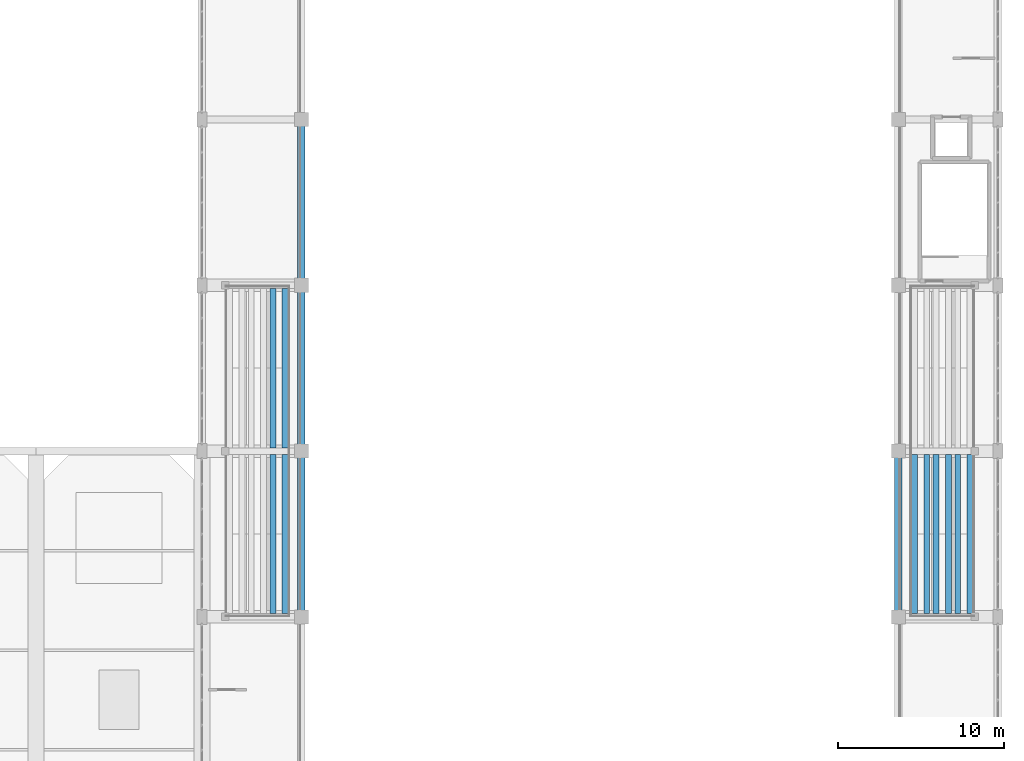
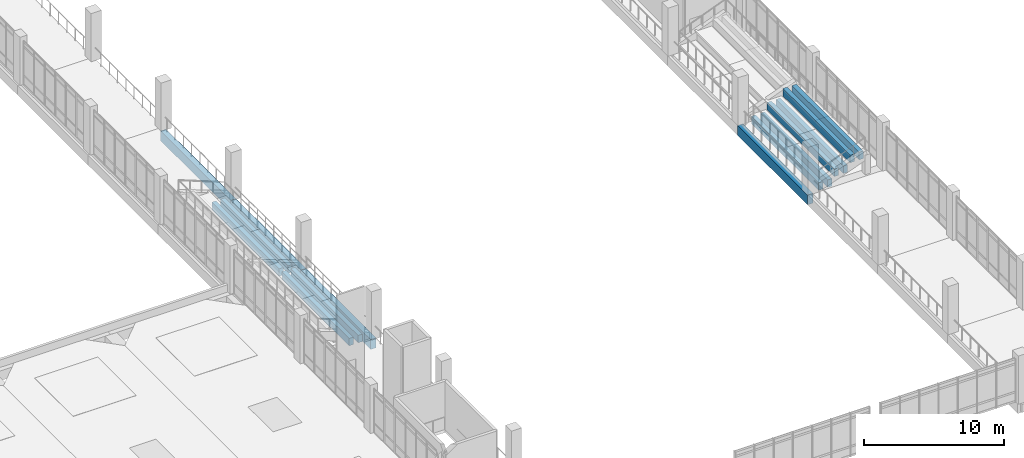
# One storey, part 106 of 161: 14 beams.
"""IFC4 building model written with IfcOpenShell, lengths in metres."""

from ifc_helpers import new_model, si_unit, direction, frame, origin, origin_2d, place, context, subcontext, project, spatial, rectangle, extrude, material, material_profile, profile_set, type_object, element, save


model = new_model("IFC4")

# Units and contexts
model_context = context("Model", 3, precision=1e-05, world=origin(), true_north=direction((0.0, 1.0)))
body_context = subcontext(model_context, "Body", "Model", "MODEL_VIEW")
ifc_project = project(units=[si_unit("LENGTHUNIT", "METRE"), si_unit("AREAUNIT", "SQUARE_METRE"), si_unit("VOLUMEUNIT", "CUBIC_METRE"), si_unit("PLANEANGLEUNIT", "RADIAN"), si_unit("MASSUNIT", "GRAM", prefix="KILO")], contexts=[model_context])

# Site, building, storey
site_placement = place(None, origin())
site = spatial("IfcSite", under=ifc_project, at=site_placement, CompositionType="ELEMENT")
building_placement = place(site_placement, origin())
building = spatial("IfcBuilding", under=site, at=building_placement, Name="Mersad Railyard Sports Hall", CompositionType="ELEMENT")
storey_placement = place(building_placement, frame((0.0, 0.0, 4.800048828125)))
storey = spatial("IfcBuildingStorey", under=building, at=storey_placement, Name="L01", CompositionType="ELEMENT", Elevation=4.800048828125)

# Beams
ifc_material = material(Name="Concrete C40/50", Category="concrete")
ifc_material_profile_1 = material_profile(ifc_material, rectangle(XDim=0.449951171875, YDim=0.85009765625, at=origin_2d()), Name="RC 450x850")
ifc_profile_set_1 = profile_set([ifc_material_profile_1], Name="Concrete C40/50")
beam_type_1 = type_object("IfcBeamType", Name="STR-BM-B02", PredefinedType="BEAM", material=ifc_profile_set_1)
for number, where, z_axis, x_axis, name in (
    (1, (137.0, 33.5, -0.705078125), (0.0, 1.0, 0.0), (-1.0, 0.0, 0.0), "Beam B02-0638"),
    (2, (137.0, 43.5, -0.705078125), (0.0, 1.0, 0.0), (-1.0, 0.0, 0.0), "Beam B02-0639"),
    (3, (137.0, 53.5, -0.705078125), (0.0, 1.0, 0.0), (-1.0, 0.0, 0.0), "Beam B02-0640"),
    (4, (173.0, 33.5, -0.705078125), (0.0, 1.0, 0.0), (-1.0, 0.0, 0.0), "Beam B02-0650"),
):
    element("IfcBeam", number, at=place(storey_placement, frame(where, z_axis=z_axis, x_axis=x_axis)), inside=storey, type_object=beam_type_1, Name=name, PredefinedType="BEAM", context=body_context, shape_type="SweptSolid", body=[
        extrude(rectangle(XDim=0.449951171875, YDim=0.85009765625, at=origin_2d()), origin(), (0.0, 0.0, 1.0), 10.0),
    ])
ifc_material_profile_2 = material_profile(ifc_material, rectangle(XDim=0.35009765625, YDim=0.64990234375, at=origin_2d()), Name="RC 350x650")
ifc_profile_set_2 = profile_set([ifc_material_profile_2], Name="Concrete C40/50")
beam_type_2 = type_object("IfcBeamType", Name="STR-BM-J01", PredefinedType="JOIST", material=ifc_profile_set_2)
for number, where, z_axis, x_axis, name in (
    (5, (135.280029296875, 33.699951171875, -0.03515625), (0.0, 1.0, 0.0), (-1.0, 0.0, 0.0), "Beam J01-0865"),
    (6, (173.97998046875, 33.699951171875, -0.03515625), (0.0, 1.0, 0.0), (-1.0, 0.0, 0.0), "Beam J01-0866"),
    (7, (136.02001953125, 33.699951171875, -0.03515625), (0.0, 1.0, 0.0), (-1.0, 0.0, 0.0), "Beam J01-0867"),
    (8, (174.719970703125, 33.699951171875, -0.03515625), (0.0, 1.0, 0.0), (-1.0, 0.0, 0.0), "Beam J01-0868"),
    (9, (175.280029296875, 33.699951171875, 0.71484375), (0.0, 1.0, 0.0), (-1.0, 0.0, 0.0), "Beam J01-0870"),
    (10, (176.02001953125, 33.699951171875, 0.71484375), (0.0, 1.0, 0.0), (-1.0, 0.0, 0.0), "Beam J01-0872"),
    (11, (176.580078125, 33.699951171875, 1.46484375), (0.0, 1.0, 0.0), (-1.0, 0.0, 0.0), "Beam J01-0874"),
    (12, (177.320068359375, 33.699951171875, 1.46484375), (0.0, 1.0, 0.0), (-1.0, 0.0, 0.0), "Beam J01-0876"),
    (13, (135.280029296875, 43.699951171875, -0.03515625), (0.0, 1.0, 0.0), (-1.0, 0.0, 0.0), "Beam J01-0889"),
    (14, (136.02001953125, 43.699951171875, -0.03515625), (0.0, 1.0, 0.0), (-1.0, 0.0, 0.0), "Beam J01-0891"),
):
    element("IfcBeam", number, at=place(storey_placement, frame(where, z_axis=z_axis, x_axis=x_axis)), inside=storey, type_object=beam_type_2, Name=name, PredefinedType="JOIST", context=body_context, shape_type="SweptSolid", body=[
        extrude(rectangle(XDim=0.35009765625, YDim=0.64990234375, at=origin_2d()), origin(), (0.0, 0.0, 1.0), 9.60009765625),
    ])

save(model, "model.ifc")
